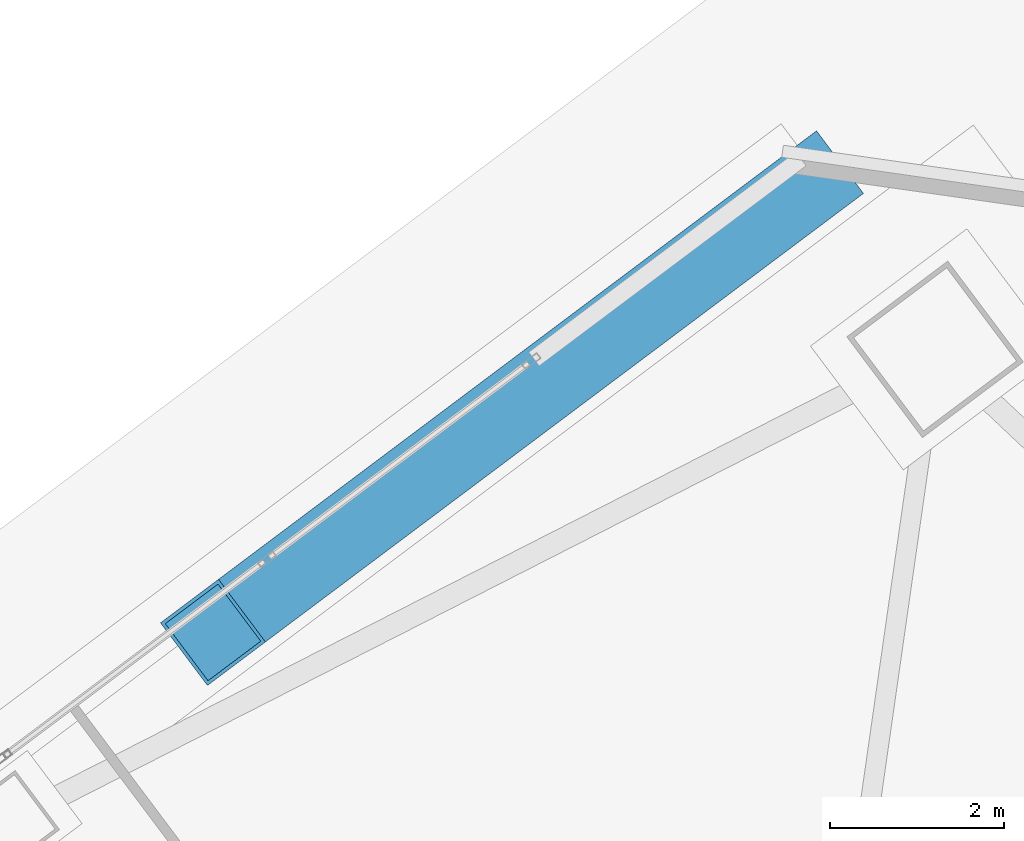
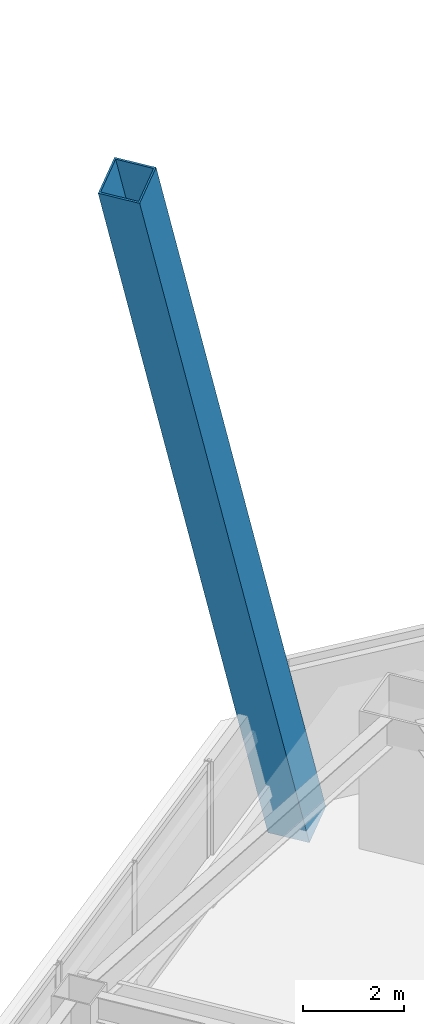
# One storey, part 50 of 67: 1 member.
"""IFC4 building model written with IfcOpenShell, lengths in metres."""

import ifcopenshell
import ifcopenshell.guid

model = None  # the IFC model being written
_history = None  # IfcOwnerHistory: only IFC2X3 demands one
_inside = {}  # id of a spatial element -> (the spatial element, [elements in it])
_under = {}  # id of a project, library or spatial element -> (it, [spatial elements below it])
_declared = {}  # id of a project -> (the project, [libraries it declares])
_typed = {}  # id of a type object -> (the type object, [elements of that type])
_made_of = {}  # id of a material, layer set ... -> (it, [elements and type objects made of it])


def new_model(schema):
    """Start an empty IFC model of exactly this schema.

    Asked for "IFC4X3", IfcOpenShell would pick the latest addendum, in which some entities
    have other attributes; the version numbers below select the first issue.
    IFC2X3 requires an IfcOwnerHistory on every rooted entity: one is made here for all.
    """
    global model, _history
    if schema == "IFC4X3":
        model = ifcopenshell.file(schema_version=(4, 3, 0, 0))
    else:
        model = ifcopenshell.file(schema=schema)
    _inside.clear()
    _under.clear()
    _declared.clear()
    _typed.clear()
    _made_of.clear()
    _history = None
    if model.schema == "IFC2X3":
        org = make("IfcOrganization", Name="unknown")
        user = make(
            "IfcPersonAndOrganization",
            ThePerson=make("IfcPerson", FamilyName="unknown"),
            TheOrganization=org,
        )
        app = make(
            "IfcApplication",
            ApplicationDeveloper=org,
            Version="unknown",
            ApplicationFullName="unknown",
            ApplicationIdentifier="unknown",
        )
        _history = make(
            "IfcOwnerHistory",
            OwningUser=user,
            OwningApplication=app,
            ChangeAction="ADDED",
            CreationDate=0,
        )
    return model


def make(cls, **values):
    """One entity of the class cls with the attributes given. An attribute that is None is left unset."""
    return model.create_entity(
        cls, **{name: value for name, value in values.items() if value is not None}
    )


def rooted(cls, **values):
    """An entity with a GlobalId (a new one), such as an element, a storey or a relation."""
    return make(cls, GlobalId=ifcopenshell.guid.new(), OwnerHistory=_history, **values)


def si_unit(unit_type, name, prefix=None):
    """IfcSIUnit, for example si_unit("LENGTHUNIT", "METRE", prefix="MILLI")."""
    return make("IfcSIUnit", UnitType=unit_type, Prefix=prefix, Name=name)


def assignment(units):
    """IfcUnitAssignment: the units of a project."""
    return None if units is None else make("IfcUnitAssignment", Units=units)


def point(xyz):
    """IfcCartesianPoint."""
    return None if xyz is None else make("IfcCartesianPoint", Coordinates=xyz)


def direction(xyz):
    """IfcDirection."""
    return None if xyz is None else make("IfcDirection", DirectionRatios=xyz)


def frame(location, z_axis=None, x_axis=None):
    """IfcAxis2Placement3D, a coordinate frame: its origin and axes. An axis left out is left unset."""
    return make(
        "IfcAxis2Placement3D",
        Location=point(location),
        Axis=direction(z_axis),
        RefDirection=direction(x_axis),
    )


def frame_2d(location, x_axis=None):
    """IfcAxis2Placement2D, a coordinate frame in the plane: its origin and x axis."""
    return make(
        "IfcAxis2Placement2D", Location=point(location), RefDirection=direction(x_axis)
    )


def origin():
    """The frame at (0, 0, 0) with its axes left unset."""
    return frame((0.0, 0.0, 0.0))


def origin_2d():
    """The frame at (0, 0) in the plane with its x axis left unset."""
    return frame_2d((0.0, 0.0))


def place(relative_to, where):
    """IfcLocalPlacement: puts the frame where relative to a parent placement (None: the world)."""
    return make(
        "IfcLocalPlacement", PlacementRelTo=relative_to, RelativePlacement=where
    )


def context(
    kind, dimensions, precision=None, world=None, true_north=None, identifier=None
):
    """IfcGeometricRepresentationContext, for example the 3D "Model" context."""
    return make(
        "IfcGeometricRepresentationContext",
        ContextIdentifier=identifier,
        ContextType=kind,
        CoordinateSpaceDimension=dimensions,
        Precision=precision,
        WorldCoordinateSystem=world,
        TrueNorth=true_north,
    )


def subcontext(parent, identifier, kind, view, scale=None):
    """IfcGeometricRepresentationSubContext, for example "Body" below "Model"."""
    return make(
        "IfcGeometricRepresentationSubContext",
        ContextIdentifier=identifier,
        ContextType=kind,
        ParentContext=parent,
        TargetScale=scale,
        TargetView=view,
    )


def project(units=None, contexts=None):
    """IfcProject with its units and contexts."""
    return rooted(
        "IfcProject",
        Name="project",
        RepresentationContexts=contexts,
        UnitsInContext=assignment(units),
    )


def spatial(cls, under=None, at=None, **own):
    """A site, building, storey or space (cls), placed at a placement, below another one or the project."""
    s = rooted(cls, ObjectPlacement=at, **own)
    if under is not None:
        _under.setdefault(under.id(), (under, []))[1].append(s)
    return s


def profile(cls, at=None, kind="AREA", **sizes):
    """A parametric profile (cls). Its sizes go by their IFC names, for example OverallWidth=200.0."""
    return make(cls, ProfileType=kind, Position=at, **sizes)


def hollow_rectangle(**sizes):
    """IfcRectangleHollowProfileDef."""
    return profile("IfcRectangleHollowProfileDef", **sizes)


def extrude(swept, where, along, depth):
    """IfcExtrudedAreaSolid: the profile swept, set in the frame where, extruded along a direction by depth."""
    return make(
        "IfcExtrudedAreaSolid",
        SweptArea=swept,
        Position=where,
        ExtrudedDirection=direction(along),
        Depth=depth,
    )


def shape(context_of_items, identifier, shape_type, items):
    """IfcShapeRepresentation: the items that make up one representation, for example the "Body"."""
    return make(
        "IfcShapeRepresentation",
        ContextOfItems=context_of_items,
        RepresentationIdentifier=identifier,
        RepresentationType=shape_type,
        Items=items,
    )


def material(Name=None, Category=None):
    """IfcMaterial."""
    return make("IfcMaterial", Name=Name, Category=Category)


def material_profile(
    of_material, cross_section, Name=None, Category=None, Priority=None
):
    """IfcMaterialProfile: a cross section and its material."""
    return make(
        "IfcMaterialProfile",
        Name=Name,
        Material=of_material,
        Profile=cross_section,
        Priority=Priority,
        Category=Category,
    )


def profile_set(profiles, Name=None, composite=None):
    """IfcMaterialProfileSet."""
    return make(
        "IfcMaterialProfileSet",
        Name=Name,
        MaterialProfiles=profiles,
        CompositeProfile=composite,
    )


def made_of(thing, what):
    """Note that an element or type object is made of a material, layer set ...; save() writes the relation."""
    if what is not None:
        _made_of.setdefault(what.id(), (what, []))[1].append(thing)
    return thing


def type_object(cls, material=None, **own):
    """A type object (cls), such as IfcWallType, which elements share."""
    return made_of(rooted(cls, **own), material)


def element(
    cls,
    number,
    at=None,
    inside=None,
    cuts=None,
    type_object=None,
    material=None,
    context=None,
    identifier="Body",
    shape_type=None,
    held_by="IfcProductDefinitionShape",
    body=None,
    shapes=None,
    **own,
):
    """One element of the class cls, such as IfcWall. Its Tag is "e" and its number.

    at: its placement. inside: the storey or other place that contains it. cuts: it is an
    opening in that element (IfcRelVoidsElement). A single representation is given by context,
    identifier, shape_type and body (its items); several are given by shapes. held_by: the class
    of the entity that holds the representations. save() writes the other relations.
    """
    e = rooted(cls, Tag="e%d" % number, ObjectPlacement=at, **own)
    if body is not None:
        shapes = [shape(context, identifier, shape_type, body)]
    if shapes is not None:
        e.Representation = make(held_by, Representations=shapes)
    if inside is not None:
        _inside.setdefault(inside.id(), (inside, []))[1].append(e)
    if cuts is not None:
        rooted(
            "IfcRelVoidsElement", RelatingBuildingElement=cuts, RelatedOpeningElement=e
        )
    if type_object is not None:
        _typed.setdefault(type_object.id(), (type_object, []))[1].append(e)
    return made_of(e, material)


def aggregate(whole, parts):
    """IfcRelAggregates: a whole, such as a stair, and the parts it consists of."""
    return rooted("IfcRelAggregates", RelatingObject=whole, RelatedObjects=parts)


def save(model, path):
    """Write the relations noted so far, then the file.

    IfcRelAggregates (storeys below a building ...), IfcRelContainedInSpatialStructure (elements
    in a storey), IfcRelDefinesByType, IfcRelAssociatesMaterial and IfcRelDeclares: one each for
    every whole, place, type object, material and project.
    """
    for whole, parts in _under.values():
        aggregate(whole, parts)
    for where, things in _inside.values():
        rooted(
            "IfcRelContainedInSpatialStructure",
            RelatedElements=things,
            RelatingStructure=where,
        )
    for kind, things in _typed.values():
        rooted("IfcRelDefinesByType", RelatedObjects=things, RelatingType=kind)
    for what, things in _made_of.values():
        rooted("IfcRelAssociatesMaterial", RelatedObjects=things, RelatingMaterial=what)
    for by, libraries in _declared.values():
        rooted("IfcRelDeclares", RelatingContext=by, RelatedDefinitions=libraries)
    model.write(path)


model = new_model("IFC4")

# Units and contexts
model_context = context("Model", 3, precision=1e-05, world=origin(), true_north=direction((0.0, 1.0)))
body_context = subcontext(model_context, "Body", "Model", "MODEL_VIEW")
ifc_project = project(units=[si_unit("LENGTHUNIT", "METRE"), si_unit("AREAUNIT", "SQUARE_METRE"), si_unit("VOLUMEUNIT", "CUBIC_METRE"), si_unit("PLANEANGLEUNIT", "RADIAN"), si_unit("MASSUNIT", "GRAM", prefix="KILO")], contexts=[model_context])

# Site, building, storey
site_placement = place(None, origin())
site = spatial("IfcSite", under=ifc_project, at=site_placement, CompositionType="ELEMENT")
building_placement = place(site_placement, origin())
building = spatial("IfcBuilding", under=site, at=building_placement, Name="Tashvorn Skyway Center", CompositionType="ELEMENT")
storey_placement = place(building_placement, frame((0.0, 0.0, 67.199951171875)))
storey = spatial("IfcBuildingStorey", under=building, at=storey_placement, Name="L17", CompositionType="ELEMENT", Elevation=67.199951171875)

# Member
ifc_material = material(Name="Steel ASTM A572 Grade 50", Category="steel")
ifc_material_profile = material_profile(ifc_material, hollow_rectangle(XDim=0.89990234375, YDim=0.89990234375, WallThickness=0.0400390625, at=origin_2d()), Name="BOX900x900x40")
ifc_profile_set = profile_set([ifc_material_profile], Name="Steel ASTM A572 Grade 50")
member_type = type_object("IfcMemberType", Name="MEM-MB-900", PredefinedType="BRACE", material=ifc_profile_set)
member_placement = place(storey_placement, frame((116.011962890625, 57.98388671875, -0.219970703125), z_axis=(-0.302312343137, -0.226734257353, 0.92585032469), x_axis=(0.6, -0.8, 0.0)))
element("IfcMember", 1, at=member_placement, inside=storey, type_object=member_type, Name="Tower 2 Zone 2 N Chevron Mega-Brace L1", PredefinedType="BRACE", context=body_context, shape_type="SweptSolid", body=[
    extrude(hollow_rectangle(XDim=0.89990234375, YDim=0.89990234375, WallThickness=0.0400390625, at=origin_2d()), origin(), (0.0, 0.0, 1.0), 22.757568359375),
])

save(model, "model.ifc")
